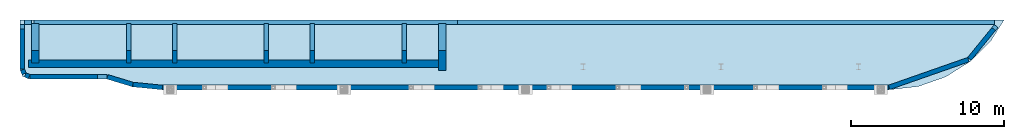
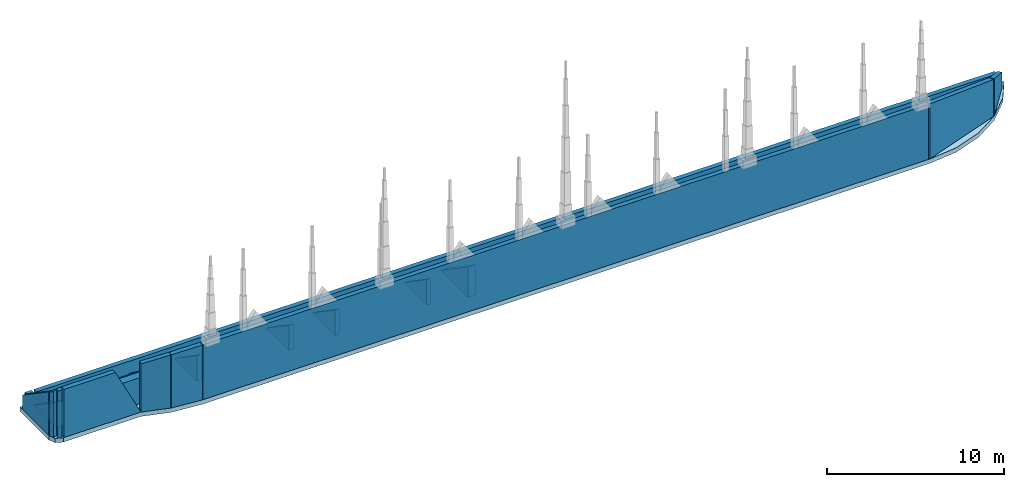
# One storey, part 2 of 6: 20 walls, 1 slab.
"""IFC4 building model written with IfcOpenShell, lengths in metres."""

import ifcopenshell
import ifcopenshell.guid

model = None  # the IFC model being written
_history = None  # IfcOwnerHistory: only IFC2X3 demands one
_inside = {}  # id of a spatial element -> (the spatial element, [elements in it])
_under = {}  # id of a project, library or spatial element -> (it, [spatial elements below it])
_declared = {}  # id of a project -> (the project, [libraries it declares])
_typed = {}  # id of a type object -> (the type object, [elements of that type])
_made_of = {}  # id of a material, layer set ... -> (it, [elements and type objects made of it])


def new_model(schema):
    """Start an empty IFC model of exactly this schema.

    Asked for "IFC4X3", IfcOpenShell would pick the latest addendum, in which some entities
    have other attributes; the version numbers below select the first issue.
    IFC2X3 requires an IfcOwnerHistory on every rooted entity: one is made here for all.
    """
    global model, _history
    if schema == "IFC4X3":
        model = ifcopenshell.file(schema_version=(4, 3, 0, 0))
    else:
        model = ifcopenshell.file(schema=schema)
    _inside.clear()
    _under.clear()
    _declared.clear()
    _typed.clear()
    _made_of.clear()
    _history = None
    if model.schema == "IFC2X3":
        org = make("IfcOrganization", Name="unknown")
        user = make(
            "IfcPersonAndOrganization",
            ThePerson=make("IfcPerson", FamilyName="unknown"),
            TheOrganization=org,
        )
        app = make(
            "IfcApplication",
            ApplicationDeveloper=org,
            Version="unknown",
            ApplicationFullName="unknown",
            ApplicationIdentifier="unknown",
        )
        _history = make(
            "IfcOwnerHistory",
            OwningUser=user,
            OwningApplication=app,
            ChangeAction="ADDED",
            CreationDate=0,
        )
    return model


def make(cls, **values):
    """One entity of the class cls with the attributes given. An attribute that is None is left unset."""
    return model.create_entity(
        cls, **{name: value for name, value in values.items() if value is not None}
    )


def rooted(cls, **values):
    """An entity with a GlobalId (a new one), such as an element, a storey or a relation."""
    return make(cls, GlobalId=ifcopenshell.guid.new(), OwnerHistory=_history, **values)


def si_unit(unit_type, name, prefix=None):
    """IfcSIUnit, for example si_unit("LENGTHUNIT", "METRE", prefix="MILLI")."""
    return make("IfcSIUnit", UnitType=unit_type, Prefix=prefix, Name=name)


def assignment(units):
    """IfcUnitAssignment: the units of a project."""
    return None if units is None else make("IfcUnitAssignment", Units=units)


def point(xyz):
    """IfcCartesianPoint."""
    return None if xyz is None else make("IfcCartesianPoint", Coordinates=xyz)


def direction(xyz):
    """IfcDirection."""
    return None if xyz is None else make("IfcDirection", DirectionRatios=xyz)


def frame(location, z_axis=None, x_axis=None):
    """IfcAxis2Placement3D, a coordinate frame: its origin and axes. An axis left out is left unset."""
    return make(
        "IfcAxis2Placement3D",
        Location=point(location),
        Axis=direction(z_axis),
        RefDirection=direction(x_axis),
    )


def frame_2d(location, x_axis=None):
    """IfcAxis2Placement2D, a coordinate frame in the plane: its origin and x axis."""
    return make(
        "IfcAxis2Placement2D", Location=point(location), RefDirection=direction(x_axis)
    )


def origin():
    """The frame at (0, 0, 0) with its axes left unset."""
    return frame((0.0, 0.0, 0.0))


def place(relative_to, where):
    """IfcLocalPlacement: puts the frame where relative to a parent placement (None: the world)."""
    return make(
        "IfcLocalPlacement", PlacementRelTo=relative_to, RelativePlacement=where
    )


def context(
    kind, dimensions, precision=None, world=None, true_north=None, identifier=None
):
    """IfcGeometricRepresentationContext, for example the 3D "Model" context."""
    return make(
        "IfcGeometricRepresentationContext",
        ContextIdentifier=identifier,
        ContextType=kind,
        CoordinateSpaceDimension=dimensions,
        Precision=precision,
        WorldCoordinateSystem=world,
        TrueNorth=true_north,
    )


def subcontext(parent, identifier, kind, view, scale=None):
    """IfcGeometricRepresentationSubContext, for example "Body" below "Model"."""
    return make(
        "IfcGeometricRepresentationSubContext",
        ContextIdentifier=identifier,
        ContextType=kind,
        ParentContext=parent,
        TargetScale=scale,
        TargetView=view,
    )


def project(units=None, contexts=None):
    """IfcProject with its units and contexts."""
    return rooted(
        "IfcProject",
        Name="project",
        RepresentationContexts=contexts,
        UnitsInContext=assignment(units),
    )


def spatial(cls, under=None, at=None, **own):
    """A site, building, storey or space (cls), placed at a placement, below another one or the project."""
    s = rooted(cls, ObjectPlacement=at, **own)
    if under is not None:
        _under.setdefault(under.id(), (under, []))[1].append(s)
    return s


def polyline(points):
    """IfcPolyline through the points."""
    return make("IfcPolyline", Points=[point(p) for p in points])


def profile(cls, at=None, kind="AREA", **sizes):
    """A parametric profile (cls). Its sizes go by their IFC names, for example OverallWidth=200.0."""
    return make(cls, ProfileType=kind, Position=at, **sizes)


def rectangle(**sizes):
    """IfcRectangleProfileDef."""
    return profile("IfcRectangleProfileDef", **sizes)


def outline(outer, holes=None, kind="AREA"):
    """IfcArbitraryClosedProfileDef: a profile drawn as a closed curve; with holes, ...WithVoids."""
    if holes is None:
        return make("IfcArbitraryClosedProfileDef", ProfileType=kind, OuterCurve=outer)
    return make(
        "IfcArbitraryProfileDefWithVoids",
        ProfileType=kind,
        OuterCurve=outer,
        InnerCurves=holes,
    )


def extrude(swept, where, along, depth):
    """IfcExtrudedAreaSolid: the profile swept, set in the frame where, extruded along a direction by depth."""
    return make(
        "IfcExtrudedAreaSolid",
        SweptArea=swept,
        Position=where,
        ExtrudedDirection=direction(along),
        Depth=depth,
    )


def shape(context_of_items, identifier, shape_type, items):
    """IfcShapeRepresentation: the items that make up one representation, for example the "Body"."""
    return make(
        "IfcShapeRepresentation",
        ContextOfItems=context_of_items,
        RepresentationIdentifier=identifier,
        RepresentationType=shape_type,
        Items=items,
    )


def material(Name=None, Category=None):
    """IfcMaterial."""
    return make("IfcMaterial", Name=Name, Category=Category)


def layer(
    of_material, thickness, ventilated=None, Name=None, Category=None, Priority=None
):
    """IfcMaterialLayer: one layer of a wall or slab, of a material (None: an air gap)."""
    return make(
        "IfcMaterialLayer",
        Material=of_material,
        LayerThickness=thickness,
        IsVentilated=ventilated,
        Name=Name,
        Category=Category,
        Priority=Priority,
    )


def layer_set(layers, Name=None):
    """IfcMaterialLayerSet."""
    return make("IfcMaterialLayerSet", MaterialLayers=layers, LayerSetName=Name)


def made_of(thing, what):
    """Note that an element or type object is made of a material, layer set ...; save() writes the relation."""
    if what is not None:
        _made_of.setdefault(what.id(), (what, []))[1].append(thing)
    return thing


def type_object(cls, material=None, **own):
    """A type object (cls), such as IfcWallType, which elements share."""
    return made_of(rooted(cls, **own), material)


def element(
    cls,
    number,
    at=None,
    inside=None,
    cuts=None,
    type_object=None,
    material=None,
    context=None,
    identifier="Body",
    shape_type=None,
    held_by="IfcProductDefinitionShape",
    body=None,
    shapes=None,
    **own,
):
    """One element of the class cls, such as IfcWall. Its Tag is "e" and its number.

    at: its placement. inside: the storey or other place that contains it. cuts: it is an
    opening in that element (IfcRelVoidsElement). A single representation is given by context,
    identifier, shape_type and body (its items); several are given by shapes. held_by: the class
    of the entity that holds the representations. save() writes the other relations.
    """
    e = rooted(cls, Tag="e%d" % number, ObjectPlacement=at, **own)
    if body is not None:
        shapes = [shape(context, identifier, shape_type, body)]
    if shapes is not None:
        e.Representation = make(held_by, Representations=shapes)
    if inside is not None:
        _inside.setdefault(inside.id(), (inside, []))[1].append(e)
    if cuts is not None:
        rooted(
            "IfcRelVoidsElement", RelatingBuildingElement=cuts, RelatedOpeningElement=e
        )
    if type_object is not None:
        _typed.setdefault(type_object.id(), (type_object, []))[1].append(e)
    return made_of(e, material)


def aggregate(whole, parts):
    """IfcRelAggregates: a whole, such as a stair, and the parts it consists of."""
    return rooted("IfcRelAggregates", RelatingObject=whole, RelatedObjects=parts)


def save(model, path):
    """Write the relations noted so far, then the file.

    IfcRelAggregates (storeys below a building ...), IfcRelContainedInSpatialStructure (elements
    in a storey), IfcRelDefinesByType, IfcRelAssociatesMaterial and IfcRelDeclares: one each for
    every whole, place, type object, material and project.
    """
    for whole, parts in _under.values():
        aggregate(whole, parts)
    for where, things in _inside.values():
        rooted(
            "IfcRelContainedInSpatialStructure",
            RelatedElements=things,
            RelatingStructure=where,
        )
    for kind, things in _typed.values():
        rooted("IfcRelDefinesByType", RelatedObjects=things, RelatingType=kind)
    for what, things in _made_of.values():
        rooted("IfcRelAssociatesMaterial", RelatedObjects=things, RelatingMaterial=what)
    for by, libraries in _declared.values():
        rooted("IfcRelDeclares", RelatingContext=by, RelatedDefinitions=libraries)
    model.write(path)


model = new_model("IFC4")

# Units and contexts
model_context = context("Model", 3, precision=1e-05, world=origin(), true_north=direction((0.0, 1.0)))
body_context = subcontext(model_context, "Body", "Model", "MODEL_VIEW")
ifc_project = project(units=[si_unit("LENGTHUNIT", "METRE"), si_unit("AREAUNIT", "SQUARE_METRE"), si_unit("VOLUMEUNIT", "CUBIC_METRE"), si_unit("PLANEANGLEUNIT", "RADIAN"), si_unit("MASSUNIT", "GRAM", prefix="KILO")], contexts=[model_context])

# Site, building, storey
site_placement = place(None, origin())
site = spatial("IfcSite", under=ifc_project, at=site_placement, CompositionType="ELEMENT")
building_placement = place(site_placement, origin())
building = spatial("IfcBuilding", under=site, at=building_placement, Name="Ogive Portal Towers", CompositionType="ELEMENT")
storey_placement = place(building_placement, frame((0.0, 0.0, 293.89990234375)))
storey = spatial("IfcBuildingStorey", under=building, at=storey_placement, Name="L71", CompositionType="ELEMENT", Elevation=293.89990234375)

# Slab
ifc_material_1 = material(Name="Concrete C45/55", Category="concrete")
ifc_layer_1 = layer(ifc_material_1, 0.300048828125)
ifc_layer_set_1 = layer_set([ifc_layer_1], Name="PT ROOF SLAB 300")
slab_type = type_object("IfcSlabType", Name="PT ROOF SLAB 300", PredefinedType="ROOF", material=ifc_layer_set_1)
slab_placement = place(storey_placement, frame((0.0, 0.0, -0.2998046875)))
element("IfcSlab", 1, at=slab_placement, inside=storey, type_object=slab_type, Name="Crown deck L71", PredefinedType="ROOF", context=body_context, shape_type="SweptSolid", body=[
    extrude(outline(polyline([(92.7998046875, 21.8544921875), (94.1455078125, 23.2001953125), (94.999267578125, 24.558837890625), (30.699951171875, 24.558837890625), (30.699951171875, 21.300048828125), (30.875732421875, 20.875732421875), (31.300048828125, 20.699951171875), (36.375, 20.699951171875), (38.049072265625, 20.192138671875), (40.0, 20.0), (87.5, 20.0), (89.391357421875, 20.213134765625), (91.18798828125, 20.841796875), (92.7998046875, 21.8544921875)])), origin(), (0.0, 0.0, 1.0), 0.2998046875),
])

# Walls
ifc_material_2 = material(Name="Concrete C60/75", Category="concrete")
ifc_layer_2 = layer(ifc_material_2, 0.300048828125)
ifc_layer_set_2 = layer_set([ifc_layer_2], Name="CORE WALL 300 C60")
wall_type_1 = type_object("IfcWallType", Name="CORE WALL 300 C60", PredefinedType="SHEAR", material=ifc_layer_set_2)
for number, where, z_axis, x_axis, name in (
    (2, (37.800048828125, 21.75, 0.0), (0.0, 0.0, 1.0), (0.0, 1.0, 0.0), "Core wall X1 L71"),
    (3, (40.800048828125, 21.75, 0.0), (0.0, 0.0, 1.0), (0.0, 1.0, 0.0), "Core wall X2 L71"),
    (4, (46.800048828125, 21.75, 0.0), (0.0, 0.0, 1.0), (0.0, 1.0, 0.0), "Core wall X3 L71"),
    (5, (49.800048828125, 21.75, 0.0), (0.0, 0.0, 1.0), (0.0, 1.0, 0.0), "Core wall X4 L71"),
    (6, (55.800048828125, 21.75, 0.0), (0.0, 0.0, 1.0), (0.0, 1.0, 0.0), "Core wall X5 L71"),
):
    element("IfcWall", number, at=place(storey_placement, frame(where, z_axis=z_axis, x_axis=x_axis)), inside=storey, type_object=wall_type_1, Name=name, PredefinedType="SHEAR", context=body_context, shape_type="SweptSolid", body=[
        extrude(outline(polyline([(0.0, 0.0), (8.75, 0.0), (2.588134765625, 0.0), (0.0, 1.760009765625), (0.0, 0.0)])), frame((0.0, 0.14990234375, 0.0), z_axis=(0.0, -1.0, 0.0), x_axis=(1.0, 0.0, 0.0)), (0.0, 0.0, 1.0), 0.300048828125),
    ])
ifc_layer_3 = layer(ifc_material_2, 0.5)
ifc_layer_set_3 = layer_set([ifc_layer_3], Name="CORE WALL 500 C60")
wall_type_2 = type_object("IfcWallType", Name="CORE WALL 500 C60", PredefinedType="SHEAR", material=ifc_layer_set_3)
wall_1_placement = place(storey_placement, frame((31.699951171875, 21.75, 0.0), z_axis=(0.0, 0.0, 1.0), x_axis=(0.0, 1.0, 0.0)))
element("IfcWall", 7, at=wall_1_placement, inside=storey, type_object=wall_type_2, Name="Core wall W L71", PredefinedType="SHEAR", context=body_context, shape_type="SweptSolid", body=[
    extrude(outline(polyline([(0.0, 0.0), (17.5, 0.0), (2.588134765625, 0.0), (0.0, 1.760009765625), (0.0, 0.0)])), frame((0.0, 0.25, 0.0), z_axis=(0.0, -1.0, 0.0), x_axis=(1.0, 0.0, 0.0)), (0.0, 0.0, 1.0), 0.5),
])
wall_2_placement = place(storey_placement, frame((31.25, 21.699951171875, 0.0), z_axis=(0.0, 0.0, 1.0), x_axis=(1.0, 0.0, 0.0)))
element("IfcWall", 8, at=wall_2_placement, inside=storey, type_object=wall_type_2, Name="Core wall S L71", PredefinedType="SHEAR", context=body_context, shape_type="SweptSolid", body=[
    extrude(rectangle(XDim=27.0, YDim=0.5, at=frame_2d((13.5, 0.0))), origin(), (0.0, 0.0, 1.0), 1.794189453125),
])
wall_3_placement = place(storey_placement, frame((58.300048828125, 21.25, 0.0), z_axis=(0.0, 0.0, 1.0), x_axis=(0.0, 1.0, 0.0)))
element("IfcWall", 9, at=wall_3_placement, inside=storey, type_object=wall_type_2, Name="Core wall E L71", PredefinedType="SHEAR", context=body_context, shape_type="SweptSolid", body=[
    extrude(outline(polyline([(0.0, 0.0), (18.5, 0.0), (3.088134765625, 0.0), (0.0, 2.10009765625), (0.0, 0.0)])), frame((0.0, 0.25, 0.0), z_axis=(0.0, -1.0, 0.0), x_axis=(1.0, 0.0, 0.0)), (0.0, 0.0, 1.0), 0.5),
])
ifc_material_3 = material(Name="Limestone cladding on lightweight block wall", Category="masonry")
ifc_layer_4 = layer(ifc_material_3, 0.300048828125)
ifc_layer_set_4 = layer_set([ifc_layer_4], Name="CROWN KNEE WALL 300 STONE")
wall_type_3 = type_object("IfcWallType", Name="CROWN KNEE WALL 300 STONE", PredefinedType="SOLIDWALL", material=ifc_layer_set_4)
wall_4_placement = place(storey_placement, frame((94.368408203125, 24.408935546875, 0.0), z_axis=(0.0, 0.0, 1.0), x_axis=(-1.0, 0.0, 0.0)))
element("IfcWall", 10, at=wall_4_placement, inside=storey, type_object=wall_type_3, Name="A:L71:c00:wall", PredefinedType="SOLIDWALL", context=body_context, shape_type="SweptSolid", body=[
    extrude(outline(polyline([(0.0, 0.0), (35.068359375, 0.0), (35.068359375, 0.902099609375), (33.543701171875, 0.902099609375), (32.01904296875, 0.902099609375), (30.494384765625, 0.902099609375), (28.9697265625, 0.902099609375), (27.44482421875, 0.902099609375), (25.920166015625, 0.902099609375), (24.3955078125, 0.902099609375), (22.870849609375, 0.902099609375), (21.345947265625, 0.902099609375), (19.8212890625, 0.902099609375), (18.296630859375, 0.902099609375), (16.77197265625, 0.902099609375), (15.2470703125, 0.902099609375), (13.722412109375, 0.902099609375), (12.19775390625, 0.902099609375), (10.673095703125, 0.902099609375), (9.148193359375, 0.902099609375), (7.62353515625, 0.902099609375), (6.098876953125, 0.902099609375), (4.57421875, 0.902099609375), (3.04931640625, 0.902099609375), (1.524658203125, 0.902099609375), (0.0, 0.902099609375), (0.0, 0.0)])), frame((0.0, 0.14990234375, 0.0), z_axis=(0.0, -1.0, 0.0), x_axis=(1.0, 0.0, 0.0)), (0.0, 0.0, 1.0), 0.300048828125),
])
wall_5_placement = place(storey_placement, frame((59.300048828125, 24.408935546875, 0.0), z_axis=(0.0, 0.0, 1.0), x_axis=(-1.0, 0.0, 0.0)))
element("IfcWall", 11, at=wall_5_placement, inside=storey, type_object=wall_type_3, Name="A:L71:c01:wall", PredefinedType="SOLIDWALL", context=body_context, shape_type="SweptSolid", body=[
    extrude(outline(polyline([(0.0, 0.0), (27.676025390625, 0.0), (27.676025390625, 0.902099609375), (26.138427734375, 0.902099609375), (24.600830078125, 0.902099609375), (23.063232421875, 0.902099609375), (21.525634765625, 0.902099609375), (19.988037109375, 0.902099609375), (18.45068359375, 0.902099609375), (16.9130859375, 0.902099609375), (15.37548828125, 0.902099609375), (13.837890625, 0.902099609375), (12.30029296875, 0.902099609375), (10.762939453125, 0.902099609375), (9.225341796875, 0.902099609375), (7.687744140625, 0.902099609375), (6.150146484375, 0.902099609375), (4.612548828125, 0.902099609375), (3.0751953125, 0.902099609375), (1.53759765625, 0.902099609375), (0.0, 0.902099609375), (0.0, 0.0)])), frame((0.0, 0.14990234375, 0.0), z_axis=(0.0, -1.0, 0.0), x_axis=(1.0, 0.0, 0.0)), (0.0, 0.0, 1.0), 0.300048828125),
])
wall_6_placement = place(storey_placement, frame((31.451171875, 24.408935546875, 0.0), z_axis=(0.0, 0.0, 1.0), x_axis=(-1.0, 0.0, 0.0)))
element("IfcWall", 12, at=wall_6_placement, inside=storey, type_object=wall_type_3, Name="A:L71:c02:wall", PredefinedType="SOLIDWALL", context=body_context, shape_type="SweptSolid", body=[
    extrude(outline(polyline([(0.0, 0.0), (0.451171875, 0.0), (0.451171875, 0.902099609375), (0.0, 0.902099609375), (0.0, 0.0)])), frame((0.0, 0.14990234375, 0.0), z_axis=(0.0, -1.0, 0.0), x_axis=(1.0, 0.0, 0.0)), (0.0, 0.0, 1.0), 0.300048828125),
])
wall_7_placement = place(storey_placement, frame((30.85009765625, 24.2587890625, 0.0), z_axis=(0.0, 0.0, 1.0), x_axis=(0.0, -1.0, 0.0)))
element("IfcWall", 13, at=wall_7_placement, inside=storey, type_object=wall_type_3, Name="A:L71:c03:wall", PredefinedType="SOLIDWALL", context=body_context, shape_type="SweptSolid", body=[
    extrude(outline(polyline([(0.0, 0.0), (2.899169921875, 0.0), (2.899169921875, 2.9755859375), (0.0, 1.004150390625), (0.0, 0.0)])), frame((0.0, 0.14990234375, 0.0), z_axis=(0.0, -1.0, 0.0), x_axis=(1.0, 0.0, 0.0)), (0.0, 0.0, 1.0), 0.300048828125),
])
wall_8_placement = place(storey_placement, frame((30.861328125, 21.30224609375, 0.0), z_axis=(0.0, 0.0, 1.0), x_axis=(0.38297812142, -0.923757413239, 0.0)))
element("IfcWall", 14, at=wall_8_placement, inside=storey, type_object=wall_type_3, Name="A:L71:c04:wall", PredefinedType="SOLIDWALL", context=body_context, shape_type="SweptSolid", body=[
    extrude(outline(polyline([(0.0, 0.0), (0.275390625, 0.0), (0.275390625, 3.1875), (0.0, 3.0146484375), (0.0, 0.0)])), frame((0.0, 0.14990234375, 0.0), z_axis=(0.0, -1.0, 0.0), x_axis=(1.0, 0.0, 0.0)), (0.0, 0.0, 1.0), 0.300048828125),
])
wall_9_placement = place(storey_placement, frame((31.0478515625, 20.966796875, 0.0), z_axis=(0.0, 0.0, 1.0), x_axis=(0.923757413239, -0.38297812142, 0.0)))
element("IfcWall", 15, at=wall_9_placement, inside=storey, type_object=wall_type_3, Name="A:L71:c05:wall", PredefinedType="SOLIDWALL", context=body_context, shape_type="SweptSolid", body=[
    extrude(outline(polyline([(0.0, 0.0), (0.275390625, 0.0), (0.275390625, 3.314453125), (0.0, 3.24267578125), (0.0, 0.0)])), frame((0.0, 0.14990234375, 0.0), z_axis=(0.0, -1.0, 0.0), x_axis=(1.0, 0.0, 0.0)), (0.0, 0.0, 1.0), 0.300048828125),
])
wall_10_placement = place(storey_placement, frame((31.359619140625, 20.85009765625, 0.0), z_axis=(0.0, 0.0, 1.0), x_axis=(1.0, 0.0, 0.0)))
element("IfcWall", 16, at=wall_10_placement, inside=storey, type_object=wall_type_3, Name="A:L71:c06:wall", PredefinedType="SOLIDWALL", context=body_context, shape_type="SweptSolid", body=[
    extrude(outline(polyline([(0.0, 0.0), (5.015380859375, 0.0), (5.01513671875, 3.322021484375), (5.01513671875, 0.0), (3.343505859375, 3.322021484375), (1.671630859375, 3.322021484375), (0.0, 3.322021484375), (0.0, 0.0)])), frame((0.0, 0.14990234375, 0.0), z_axis=(0.0, -1.0, 0.0), x_axis=(1.0, 0.0, 0.0)), (0.0, 0.0, 1.0), 0.300048828125),
])
wall_11_placement = place(storey_placement, frame((36.41845703125, 20.843505859375, 0.0), z_axis=(0.0, 0.0, 1.0), x_axis=(0.956946775749, -0.290263446515, 0.0)))
element("IfcWall", 17, at=wall_11_placement, inside=storey, type_object=wall_type_3, Name="A:L71:c07:wall", PredefinedType="SOLIDWALL", context=body_context, shape_type="SweptSolid", body=[
    extrude(outline(polyline([(0.0, 0.0), (1.719970703125, 0.0), (1.719970703125, 3.666015625), (0.0, 3.326416015625), (0.0, 0.0)])), frame((0.0, 0.14990234375, 0.0), z_axis=(0.0, -1.0, 0.0), x_axis=(1.0, 0.0, 0.0)), (0.0, 0.0, 1.0), 0.300048828125),
])
wall_12_placement = place(storey_placement, frame((38.09326171875, 20.338623046875, 0.0), z_axis=(0.0, 0.0, 1.0), x_axis=(0.99517500016, -0.098115845086, 0.0)))
element("IfcWall", 18, at=wall_12_placement, inside=storey, type_object=wall_type_3, Name="A:L71:c08:wall", PredefinedType="SOLIDWALL", context=body_context, shape_type="SweptSolid", body=[
    extrude(outline(polyline([(0.0, 0.0), (1.916015625, 0.0), (1.916015625, 3.797607421875), (0.0, 3.669921875), (0.0, 0.0)])), frame((0.0, 0.14990234375, 0.0), z_axis=(0.0, -1.0, 0.0), x_axis=(1.0, 0.0, 0.0)), (0.0, 0.0, 1.0), 0.300048828125),
])
wall_13_placement = place(storey_placement, frame((40.0146484375, 20.14990234375, 0.0), z_axis=(0.0, 0.0, 1.0), x_axis=(1.0, 0.0, 0.0)))
element("IfcWall", 19, at=wall_13_placement, inside=storey, type_object=wall_type_3, Name="A:L71:c09:wall", PredefinedType="SOLIDWALL", context=body_context, shape_type="SweptSolid", body=[
    extrude(outline(polyline([(0.0, 0.0), (47.434326171875, 0.0), (47.434326171875, 3.798095703125), (45.904052734375, 3.798095703125), (44.3740234375, 3.798095703125), (42.843994140625, 3.798095703125), (41.313720703125, 3.798095703125), (39.78369140625, 3.798095703125), (38.25341796875, 3.798095703125), (36.723388671875, 3.798095703125), (35.193115234375, 3.798095703125), (33.6630859375, 3.798095703125), (32.1328125, 3.798095703125), (30.602783203125, 3.798095703125), (29.072509765625, 3.798095703125), (27.54248046875, 3.798095703125), (26.012451171875, 3.798095703125), (24.482177734375, 3.798095703125), (22.9521484375, 3.798095703125), (21.421875, 3.798095703125), (19.891845703125, 3.798095703125), (18.361572265625, 3.798095703125), (16.83154296875, 3.798095703125), (15.30126953125, 3.798095703125), (13.771240234375, 3.798095703125), (12.2412109375, 3.798095703125), (10.7109375, 3.798095703125), (9.180908203125, 3.798095703125), (7.650634765625, 3.798095703125), (6.12060546875, 3.798095703125), (4.59033203125, 3.798095703125), (3.060302734375, 3.798095703125), (1.530029296875, 3.798095703125), (0.0, 3.798095703125), (0.0, 0.0)])), frame((0.0, 0.14990234375, 0.0), z_axis=(0.0, -1.0, 0.0), x_axis=(1.0, 0.0, 0.0)), (0.0, 0.0, 1.0), 0.300048828125),
])
wall_14_placement = place(storey_placement, frame((87.49853515625, 20.158447265625, 0.0), z_axis=(0.0, 0.0, 1.0), x_axis=(0.943881974032, 0.330282937944, 0.0)))
element("IfcWall", 20, at=wall_14_placement, inside=storey, type_object=wall_type_3, Name="A:L71:c10:wall", PredefinedType="SOLIDWALL", context=body_context, shape_type="SweptSolid", body=[
    extrude(outline(polyline([(0.0, 0.0), (5.478759765625, 0.0), (5.47900390625, 2.561767578125), (3.652587890625, 2.971923828125), (1.826416015625, 3.38232421875), (0.0, 3.79248046875), (0.0, 0.0)])), frame((0.0, 0.14990234375, 0.0), z_axis=(0.0, -1.0, 0.0), x_axis=(1.0, 0.0, 0.0)), (0.0, 0.0, 1.0), 0.300048828125),
])
wall_15_placement = place(storey_placement, frame((92.73681640625, 22.014892578125, 0.0), z_axis=(0.0, 0.0, 1.0), x_axis=(0.630993988111, 0.775787720299, 0.0)))
element("IfcWall", 21, at=wall_15_placement, inside=storey, type_object=wall_type_3, Name="A:L71:c11:wall", PredefinedType="SOLIDWALL", context=body_context, shape_type="SweptSolid", body=[
    extrude(outline(polyline([(0.0, 0.0), (2.770263671875, 0.0), (2.770263671875, 1.068359375), (0.0, 2.530029296875), (0.0, 0.0)])), frame((0.0, 0.14990234375, 0.0), z_axis=(0.0, -1.0, 0.0), x_axis=(1.0, 0.0, 0.0)), (0.0, 0.0, 1.0), 0.300048828125),
])

save(model, "model.ifc")
